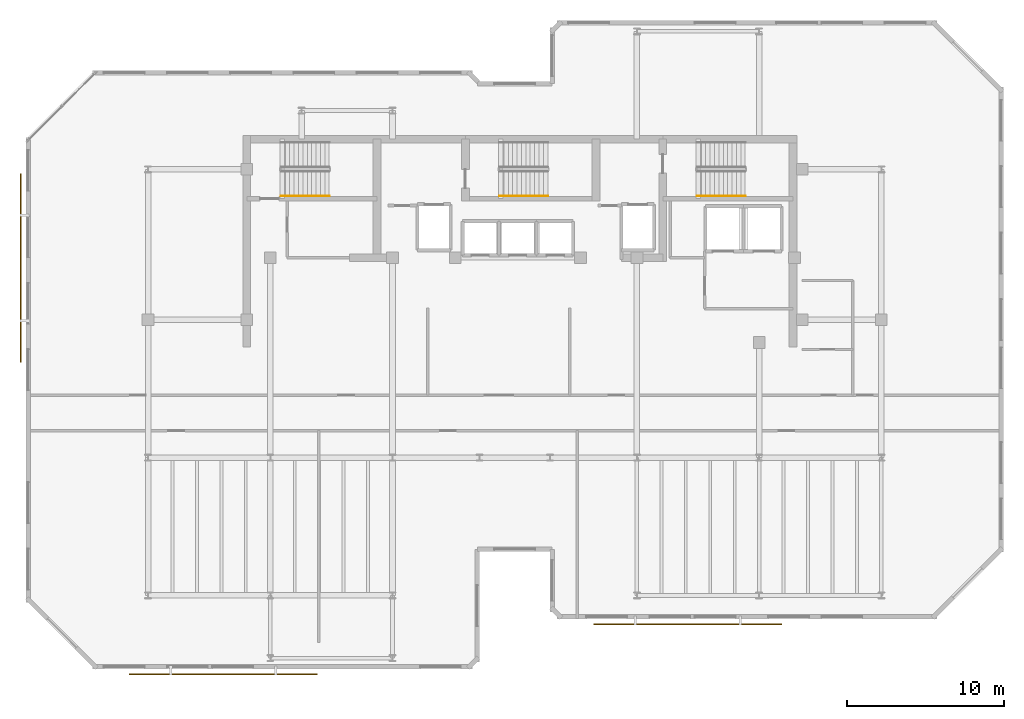
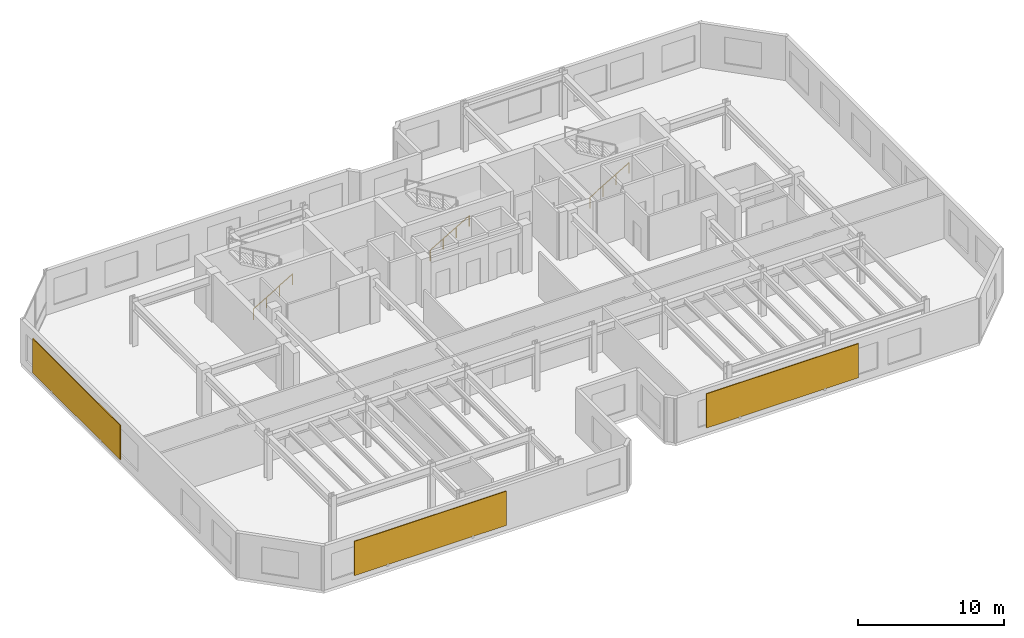
# One storey, part 8 of 9: 3 railings, 3 shading devices.
"""IFC4 building model written with IfcOpenShell, lengths in metres."""

from ifc_helpers import new_model, si_unit, direction, frame, origin, origin_2d, place, context, subcontext, project, spatial, rectangle, circle, extrude, material, layer, layer_set, type_object, element, save


model = new_model("IFC4")

# Units and contexts
model_context = context("Model", 3, precision=1e-05, world=origin(), true_north=direction((0.0, 1.0)))
body_context = subcontext(model_context, "Body", "Model", "MODEL_VIEW")
ifc_project = project(units=[si_unit("LENGTHUNIT", "METRE"), si_unit("AREAUNIT", "SQUARE_METRE"), si_unit("VOLUMEUNIT", "CUBIC_METRE"), si_unit("PLANEANGLEUNIT", "RADIAN"), si_unit("MASSUNIT", "GRAM", prefix="KILO")], contexts=[model_context])

# Site, building, storey
site_placement = place(None, origin())
site = spatial("IfcSite", under=ifc_project, at=site_placement, CompositionType="ELEMENT")
building_placement = place(site_placement, origin())
building = spatial("IfcBuilding", under=site, at=building_placement, Name="Kestravale Grand Hotel", CompositionType="ELEMENT")
storey_placement = place(building_placement, frame((0.0, 0.0, 293.39990234375)))
storey = spatial("IfcBuildingStorey", under=building, at=storey_placement, Name="L73", CompositionType="ELEMENT", Elevation=293.39990234375)

# Railings
ifc_material_1 = material(Name="Brushed stainless steel wall handrail", Category="steel")
railing_type = type_object("IfcRailingType", Name="RL-ST-HND900", PredefinedType="HANDRAIL", material=ifc_material_1)
railing_placement = place(storey_placement, frame((24.080078125, 36.699951171875, 0.166748046875)))
element("IfcRailing", 1, at=railing_placement, inside=storey, type_object=railing_type, Name="L73 ST-1 stair handrail 1", PredefinedType="HANDRAIL", context=body_context, shape_type="SweptSolid", body=[
    extrude(circle(Radius=0.02392578125, at=origin_2d()), frame((0.0, 0.0, 0.8759765625), z_axis=(0.859290745958, 0.0, 0.51148745235), x_axis=(0.0, 1.0, 0.0)), (0.0, 0.0, 1.0), 3.584228515625),
    extrude(circle(Radius=0.02099609375, at=origin_2d()), origin(), (0.0, 0.0, 1.0), 0.851806640625),
    extrude(circle(Radius=0.02099609375, at=origin_2d()), frame((1.026611328125, 0.0, 0.611083984375)), (0.0, 0.0, 1.0), 0.851806640625),
    extrude(circle(Radius=0.02099609375, at=origin_2d()), frame((2.05322265625, 0.0, 1.22216796875)), (0.0, 0.0, 1.0), 0.851806640625),
    extrude(circle(Radius=0.02099609375, at=origin_2d()), frame((3.079833984375, 0.0, 1.833251953125)), (0.0, 0.0, 1.0), 0.851806640625),
])
for number, where, name in (
    (2, (38.030029296875, 36.699951171875, 0.166748046875), "L73 ST-2 stair handrail 1"),
    (3, (50.6298828125, 36.699951171875, 0.166748046875), "L73 ST-3 stair handrail 1"),
):
    element("IfcRailing", number, at=place(storey_placement, frame(where)), inside=storey, type_object=railing_type, Name=name, PredefinedType="HANDRAIL", context=body_context, shape_type="SweptSolid", body=[
        extrude(circle(Radius=0.02392578125, at=origin_2d()), frame((0.0, 0.0, 0.8759765625), z_axis=(0.859308565015, 0.0, 0.511457515432), x_axis=(0.0, 1.0, 0.0)), (0.0, 0.0, 1.0), 3.58447265625),
        extrude(circle(Radius=0.02099609375, at=origin_2d()), origin(), (0.0, 0.0, 1.0), 0.851806640625),
        extrude(circle(Radius=0.02099609375, at=origin_2d()), frame((1.026611328125, 0.0, 0.611083984375)), (0.0, 0.0, 1.0), 0.851806640625),
        extrude(circle(Radius=0.02099609375, at=origin_2d()), frame((2.053466796875, 0.0, 1.22216796875)), (0.0, 0.0, 1.0), 0.851806640625),
        extrude(circle(Radius=0.02099609375, at=origin_2d()), frame((3.080078125, 0.0, 1.833251953125)), (0.0, 0.0, 1.0), 0.851806640625),
    ])

# Shading devices
ifc_material_2 = material(Name="Perforated champagne-bronze aluminium and ceramic solar screen", Category="aluminium")
ifc_layer = layer(ifc_material_2, 0.06494140625)
ifc_layer_set = layer_set([ifc_layer], Name="SHD-SCR-CHEV")
shading_device_type = type_object("IfcShadingDeviceType", Name="SHD-SCR-CHEV", PredefinedType="USERDEFINED", material=ifc_layer_set)
for number, where, z_axis, x_axis, name in (
    (4, (20.39990234375, 6.159912109375, 0.7001953125), (0.0, 0.0, 1.0), (1.0, 0.0, 0.0), "L73 Perforated bronze ceramic chevron solar screen SCR-L73-01"),
    (5, (50.050048828125, 9.360107421875, 0.7001953125), (0.0, 0.0, 1.0), (1.0, 0.0, 0.0), "L73 Perforated bronze ceramic chevron solar screen SCR-L73-07"),
    (6, (7.4599609375, 32.10009765625, 0.7001953125), (0.0, 0.0, 1.0), (0.0, -1.0, 0.0), "L73 Perforated bronze ceramic chevron solar screen SCR-L73-19"),
):
    element("IfcShadingDevice", number, at=place(storey_placement, frame(where, z_axis=z_axis, x_axis=x_axis)), inside=storey, type_object=shading_device_type, Name=name, ObjectType="SCREEN", PredefinedType="USERDEFINED", context=body_context, shape_type="SweptSolid", body=[
        extrude(rectangle(XDim=12.0, YDim=0.06494140625, at=origin_2d()), origin(), (0.0, 0.0, 1.0), 2.860107421875),
    ])

save(model, "model.ifc")
